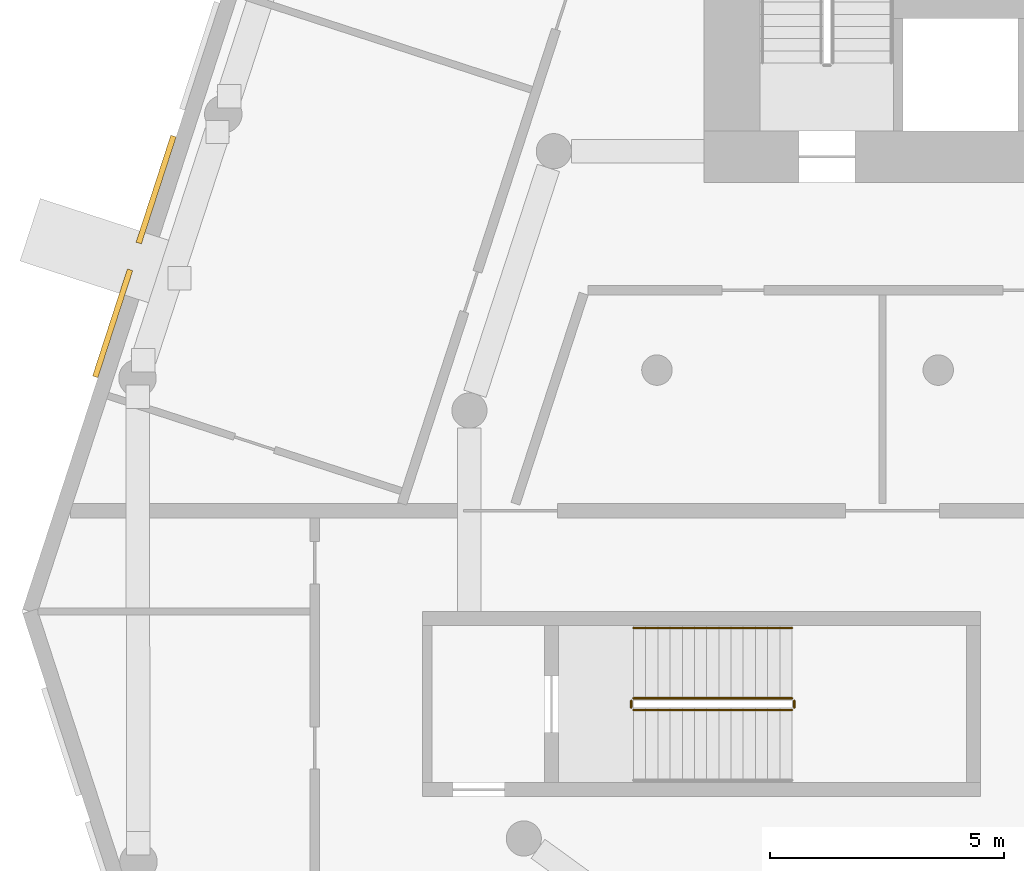
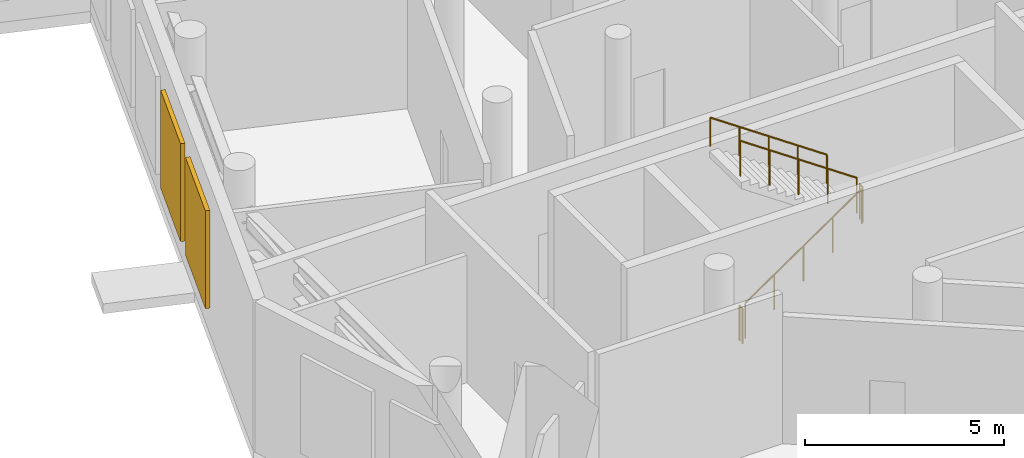
# One storey, part 12 of 15: 5 railings, 2 shading devices.
"""IFC4 building model written with IfcOpenShell, lengths in metres."""

from ifc_helpers import new_model, si_unit, direction, frame, origin, origin_2d, place, context, subcontext, project, spatial, rectangle, circle, extrude, material, type_object, element, save


model = new_model("IFC4")

# Units and contexts
model_context = context("Model", 3, precision=1e-05, world=origin(), true_north=direction((0.0, 1.0)))
body_context = subcontext(model_context, "Body", "Model", "MODEL_VIEW")
ifc_project = project(units=[si_unit("LENGTHUNIT", "METRE"), si_unit("AREAUNIT", "SQUARE_METRE"), si_unit("VOLUMEUNIT", "CUBIC_METRE"), si_unit("PLANEANGLEUNIT", "RADIAN"), si_unit("MASSUNIT", "GRAM", prefix="KILO")], contexts=[model_context])

# Site, building, storey
site_placement = place(None, origin())
site = spatial("IfcSite", under=ifc_project, at=site_placement, CompositionType="ELEMENT")
building_placement = place(site_placement, origin())
building = spatial("IfcBuilding", under=site, at=building_placement, Name="White Candle Pilgrim Tower", CompositionType="ELEMENT")
storey_placement = place(building_placement, frame((0.0, 0.0, 137.60009765625)))
storey = spatial("IfcBuildingStorey", under=building, at=storey_placement, Name="L31", CompositionType="ELEMENT", Elevation=137.60009765625)

# Shading devices
ifc_material_1 = material(Name="Aluminium", Category="aluminium")
shading_device_type = type_object("IfcShadingDeviceType", Name="Plant louvre LV1 2400x3000 aluminium framed", PredefinedType="USERDEFINED", material=ifc_material_1)
for number, where, z_axis, x_axis, name in (
    (1, (47.316650390625, 70.851318359375, 0.7998046875), (0.0, 0.0, 1.0), (-0.309017015705, -0.951056509365, 0.0), "Plant louvre L31 WNW 4"),
    (2, (46.3896484375, 67.998046875, 0.7998046875), (0.0, 0.0, 1.0), (-0.309017015705, -0.951056509365, 0.0), "Plant louvre L31 WNW 5"),
):
    element("IfcShadingDevice", number, at=place(storey_placement, frame(where, z_axis=z_axis, x_axis=x_axis)), inside=storey, type_object=shading_device_type, Name=name, ObjectType="LOUVRE", PredefinedType="USERDEFINED", context=body_context, shape_type="SweptSolid", body=[
        extrude(rectangle(XDim=2.39990234375, YDim=0.1201171875, at=origin_2d()), origin(), (0.0, 0.0, 1.0), 3.0),
    ])

# Railings
ifc_material_2 = material(Name="Stainless steel", Category="steel")
railing_type_1 = type_object("IfcRailingType", Name="Stair guard stainless steel 1100 mm", PredefinedType="GUARDRAIL", material=ifc_material_2)
railing_1_placement = place(storey_placement, frame((57.5, 59.75, 0.178466796875)))
element("IfcRailing", 3, at=railing_1_placement, inside=storey, type_object=railing_type_1, Name="L31 ST5 stair guard 1", PredefinedType="GUARDRAIL", context=body_context, shape_type="SweptSolid", body=[
    extrude(circle(Radius=0.02392578125, at=origin_2d()), frame((0.0, 0.0, 1.076171875), z_axis=(0.824285065979, 0.0, 0.566174999451), x_axis=(0.0, 1.0, 0.0)), (0.0, 0.0, 1.0), 4.100341796875),
    extrude(circle(Radius=0.02099609375, at=origin_2d()), origin(), (0.0, 0.0, 1.0), 1.052001953125),
    extrude(circle(Radius=0.02099609375, at=origin_2d()), frame((0.844970703125, 0.0, 0.580322265625)), (0.0, 0.0, 1.0), 1.052001953125),
    extrude(circle(Radius=0.02099609375, at=origin_2d()), frame((1.68994140625, 0.0, 1.16064453125)), (0.0, 0.0, 1.0), 1.052001953125),
    extrude(circle(Radius=0.02099609375, at=origin_2d()), frame((2.534912109375, 0.0, 1.7412109375)), (0.0, 0.0, 1.0), 1.052001953125),
    extrude(circle(Radius=0.02099609375, at=origin_2d()), frame((3.3798828125, 0.0, 2.321533203125)), (0.0, 0.0, 1.0), 1.052001953125),
])
railing_2_placement = place(storey_placement, frame((60.929931640625, 59.800048828125, 2.5)))
element("IfcRailing", 4, at=railing_2_placement, inside=storey, type_object=railing_type_1, Name="L31 ST5 stair guard 2", PredefinedType="GUARDRAIL", context=body_context, shape_type="SweptSolid", body=[
    extrude(circle(Radius=0.02392578125, at=origin_2d()), frame((0.0, 0.0, 1.076171875), z_axis=(0.0, 1.0, 0.0), x_axis=(-1.0, 0.0, 0.0)), (0.0, 0.0, 1.0), 0.14990234375),
    extrude(circle(Radius=0.02099609375, at=origin_2d()), origin(), (0.0, 0.0, 1.0), 1.052001953125),
    extrude(circle(Radius=0.02099609375, at=origin_2d()), frame((0.0, 0.14990234375, 0.0)), (0.0, 0.0, 1.0), 1.052001953125),
])
railing_3_placement = place(storey_placement, frame((60.8798828125, 60.0, 2.678466796875)))
element("IfcRailing", 5, at=railing_3_placement, inside=storey, type_object=railing_type_1, Name="L31 ST5 stair guard 3", PredefinedType="GUARDRAIL", context=body_context, shape_type="SweptSolid", body=[
    extrude(circle(Radius=0.02392578125, at=origin_2d()), frame((0.0, 0.0, 1.076171875), z_axis=(-0.824285065979, 0.0, 0.566174999451), x_axis=(0.0, -1.0, 0.0)), (0.0, 0.0, 1.0), 4.100341796875),
    extrude(circle(Radius=0.02099609375, at=origin_2d()), origin(), (0.0, 0.0, 1.0), 1.052001953125),
    extrude(circle(Radius=0.02099609375, at=origin_2d()), frame((-0.844970703125, 0.0, 0.580322265625)), (0.0, 0.0, 1.0), 1.052001953125),
    extrude(circle(Radius=0.02099609375, at=origin_2d()), frame((-1.68994140625, 0.0, 1.16064453125)), (0.0, 0.0, 1.0), 1.052001953125),
    extrude(circle(Radius=0.02099609375, at=origin_2d()), frame((-2.534912109375, 0.0, 1.7412109375)), (0.0, 0.0, 1.0), 1.052001953125),
    extrude(circle(Radius=0.02099609375, at=origin_2d()), frame((-3.3798828125, 0.0, 2.321533203125)), (0.0, 0.0, 1.0), 1.052001953125),
])
railing_4_placement = place(storey_placement, frame((57.449951171875, 59.800048828125, 0.0)))
element("IfcRailing", 6, at=railing_4_placement, inside=storey, type_object=railing_type_1, Name="L31 ST5 stair guard 4", PredefinedType="GUARDRAIL", context=body_context, shape_type="SweptSolid", body=[
    extrude(circle(Radius=0.02392578125, at=origin_2d()), frame((0.0, 0.0, 1.076171875), z_axis=(0.0, 1.0, 0.0), x_axis=(-1.0, 0.0, 0.0)), (0.0, 0.0, 1.0), 0.14990234375),
    extrude(circle(Radius=0.02099609375, at=origin_2d()), origin(), (0.0, 0.0, 1.0), 1.052001953125),
    extrude(circle(Radius=0.02099609375, at=origin_2d()), frame((0.0, 0.14990234375, 0.0)), (0.0, 0.0, 1.0), 1.052001953125),
])
railing_type_2 = type_object("IfcRailingType", Name="Stair handrail stainless steel", PredefinedType="HANDRAIL", material=ifc_material_2)
railing_5_placement = place(storey_placement, frame((60.8798828125, 61.5, 2.678466796875)))
element("IfcRailing", 7, at=railing_5_placement, inside=storey, type_object=railing_type_2, Name="L31 ST5 stair handrail 2", PredefinedType="HANDRAIL", context=body_context, shape_type="SweptSolid", body=[
    extrude(circle(Radius=0.02392578125, at=origin_2d()), frame((0.0, 0.0, 0.8759765625), z_axis=(-0.824285065979, 0.0, 0.566174999451), x_axis=(0.0, -1.0, 0.0)), (0.0, 0.0, 1.0), 4.100341796875),
    extrude(circle(Radius=0.02099609375, at=origin_2d()), origin(), (0.0, 0.0, 1.0), 0.851806640625),
    extrude(circle(Radius=0.02099609375, at=origin_2d()), frame((-0.844970703125, 0.0, 0.580322265625)), (0.0, 0.0, 1.0), 0.851806640625),
    extrude(circle(Radius=0.02099609375, at=origin_2d()), frame((-1.68994140625, 0.0, 1.16064453125)), (0.0, 0.0, 1.0), 0.851806640625),
    extrude(circle(Radius=0.02099609375, at=origin_2d()), frame((-2.534912109375, 0.0, 1.7412109375)), (0.0, 0.0, 1.0), 0.851806640625),
    extrude(circle(Radius=0.02099609375, at=origin_2d()), frame((-3.3798828125, 0.0, 2.321533203125)), (0.0, 0.0, 1.0), 0.851806640625),
])

save(model, "model.ifc")
